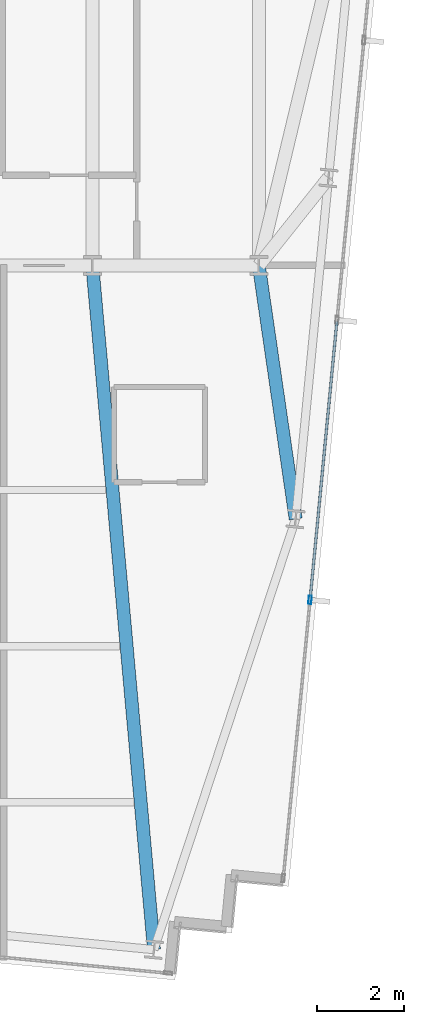
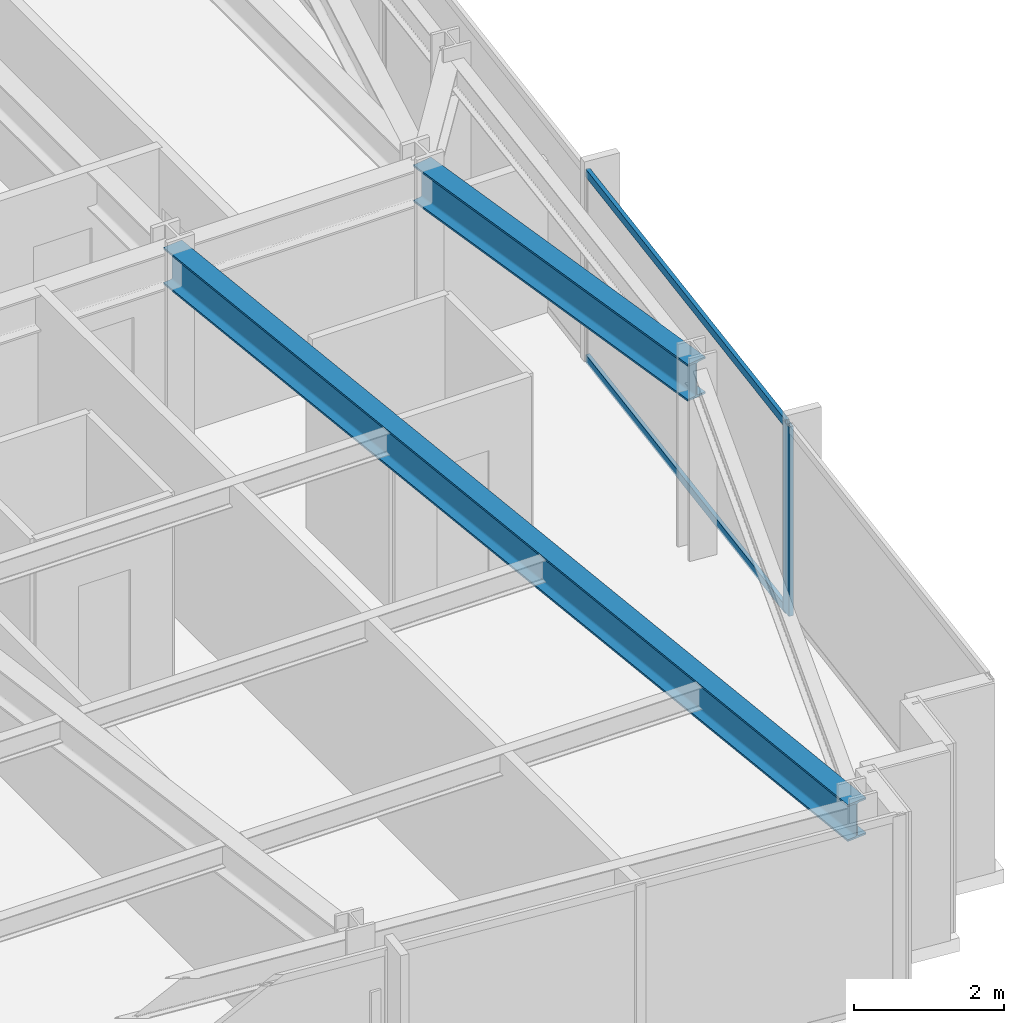
# One storey, part 15 of 38: 3 members, 2 beams, 1 element without a shape of its own.
"""IFC4 building model written with IfcOpenShell, lengths in metres."""

from ifc_helpers import new_model, si_unit, direction, frame, origin, origin_2d, place, context, subcontext, project, spatial, hollow_rectangle, i_section, extrude, material, material_profile, profile_set, type_object, element, aggregate, save


model = new_model("IFC4")

# Units and contexts
model_context = context("Model", 3, precision=1e-05, world=origin(), true_north=direction((0.0, 1.0)))
body_context = subcontext(model_context, "Body", "Model", "MODEL_VIEW")
ifc_project = project(units=[si_unit("LENGTHUNIT", "METRE"), si_unit("AREAUNIT", "SQUARE_METRE"), si_unit("VOLUMEUNIT", "CUBIC_METRE"), si_unit("PLANEANGLEUNIT", "RADIAN"), si_unit("MASSUNIT", "GRAM", prefix="KILO")], contexts=[model_context])

# Site, building, storey
site_placement = place(None, origin())
site = spatial("IfcSite", under=ifc_project, at=site_placement, CompositionType="ELEMENT")
building_placement = place(site_placement, origin())
building = spatial("IfcBuilding", under=site, at=building_placement, Name="Yelkora Congress Tower", CompositionType="ELEMENT")
storey_placement = place(building_placement, frame((0.0, 0.0, 155.60009765625)))
storey = spatial("IfcBuildingStorey", under=building, at=storey_placement, Name="L42", CompositionType="ELEMENT", Elevation=155.60009765625)

# Beams
ifc_material_1 = material(Name="Steel S355J2", Category="steel")
ifc_material_profile_1 = material_profile(ifc_material_1, i_section(OverallWidth=0.300048828125, OverallDepth=0.60009765625, WebThickness=0.015380859375, FlangeThickness=0.030029296875, FilletRadius=0.027099609375, at=origin_2d()), Name="HEB 600")
ifc_profile_set_1 = profile_set([ifc_material_profile_1], Name="Steel S355J2")
beam_type = type_object("IfcBeamType", Name="BM-GIRD-HEB600", PredefinedType="BEAM", material=ifc_profile_set_1)
beam_1_placement = place(storey_placement, frame((55.18212890625, 9.421142578125, 2.77978515625), z_axis=(-0.089764575953, 0.995963011815, 0.0), x_axis=(-0.995963011815, -0.089764575953, 0.0)))
element("IfcBeam", 1, at=beam_1_placement, inside=storey, type_object=beam_type, Name="L42 Primary Frame Girder S08", PredefinedType="BEAM", context=body_context, shape_type="SweptSolid", body=[
    extrude(i_section(OverallWidth=0.300048828125, OverallDepth=0.60009765625, WebThickness=0.015380859375, FlangeThickness=0.030029296875, FilletRadius=0.027099609375, at=origin_2d()), origin(), (0.0, 0.0, 1.0), 15.8427734375),
])
beam_2_placement = place(storey_placement, frame((58.44921875, 19.353759765625, 2.77978515625), z_axis=(-0.143735281382, 0.989616172506, 0.0), x_axis=(-0.989616172506, -0.143735281382, 0.0)))
element("IfcBeam", 2, at=beam_2_placement, inside=storey, type_object=beam_type, Name="L42 Primary Frame Girder E01", PredefinedType="BEAM", context=body_context, shape_type="SweptSolid", body=[
    extrude(i_section(OverallWidth=0.300048828125, OverallDepth=0.60009765625, WebThickness=0.015380859375, FlangeThickness=0.030029296875, FilletRadius=0.027099609375, at=origin_2d()), origin(), (0.0, 0.0, 1.0), 5.907470703125),
])

# Curtain wall, members
ifc_material_2 = material(Name="Anodised aluminium and insulated glass", Category="aluminium")
curtain_wall_type = type_object("IfcCurtainWallType", Name="CW-SYS-B3", PredefinedType="NOTDEFINED", material=ifc_material_2)
curtain_wall_placement = place(storey_placement, origin())
curtain_wall = element("IfcCurtainWall", 3, at=curtain_wall_placement, inside=storey, type_object=curtain_wall_type, Name="L42 Unitised Curtain Wall 15", PredefinedType="NOTDEFINED")
ifc_material_3 = material(Name="Anodised aluminium 6063-T6", Category="aluminium")
ifc_material_profile_2 = material_profile(ifc_material_3, hollow_rectangle(XDim=0.070068359375, YDim=0.18994140625, WallThickness=0.00390625, at=origin_2d()), Name="ALU 70x190x4")
ifc_profile_set_2 = profile_set([ifc_material_profile_2], Name="Anodised aluminium 6063-T6")
member_type_1 = type_object("IfcMemberType", Name="MEM-ML-B3", PredefinedType="MULLION", material=ifc_profile_set_2)
member_1_placement = place(storey_placement, frame((58.78173828125, 17.4873046875, 0.0), z_axis=(0.0, 0.0, 1.0), x_axis=(0.995396565076, -0.095841944023, 0.0)))
member_1 = element("IfcMember", 4, at=member_1_placement, type_object=member_type_1, Name="CW-B3 mullion 5", PredefinedType="MULLION", context=body_context, shape_type="SweptSolid", body=[
    extrude(hollow_rectangle(XDim=0.070068359375, YDim=0.18994140625, WallThickness=0.00390625, at=origin_2d()), origin(), (0.0, 0.0, 1.0), 3.079833984375),
])
ifc_material_profile_3 = material_profile(ifc_material_3, hollow_rectangle(XDim=0.06005859375, YDim=0.1298828125, WallThickness=0.00390625, at=origin_2d()), Name="ALU 60x130x4")
ifc_profile_set_3 = profile_set([ifc_material_profile_3], Name="Anodised aluminium 6063-T6")
member_type_2 = type_object("IfcMemberType", Name="MEM-TR-B3", PredefinedType="USERDEFINED", material=ifc_profile_set_3)
member_2_placement = place(storey_placement, frame((59.39990234375, 23.90673828125, 0.02978515625), z_axis=(-0.095843682057, -0.995396397728, 0.0), x_axis=(0.995396397728, -0.095843682057, 0.0)))
member_2 = element("IfcMember", 5, at=member_2_placement, type_object=member_type_2, Name="CW-B3 transom 4.1", ObjectType="TRANSOM", PredefinedType="USERDEFINED", context=body_context, shape_type="SweptSolid", body=[
    extrude(hollow_rectangle(XDim=0.06005859375, YDim=0.1298828125, WallThickness=0.00390625, at=origin_2d()), origin(), (0.0, 0.0, 1.0), 6.4140625),
])
member_3_placement = place(storey_placement, frame((59.39990234375, 23.90673828125, 3.0498046875), z_axis=(-0.095843682057, -0.995396397728, 0.0), x_axis=(0.995396397728, -0.095843682057, 0.0)))
member_3 = element("IfcMember", 6, at=member_3_placement, type_object=member_type_2, Name="CW-B3 transom 4.2", ObjectType="TRANSOM", PredefinedType="USERDEFINED", context=body_context, shape_type="SweptSolid", body=[
    extrude(hollow_rectangle(XDim=0.06005859375, YDim=0.1298828125, WallThickness=0.00390625, at=origin_2d()), origin(), (0.0, 0.0, 1.0), 6.4140625),
])
aggregate(curtain_wall, [member_1, member_2, member_3])

save(model, "model.ifc")
